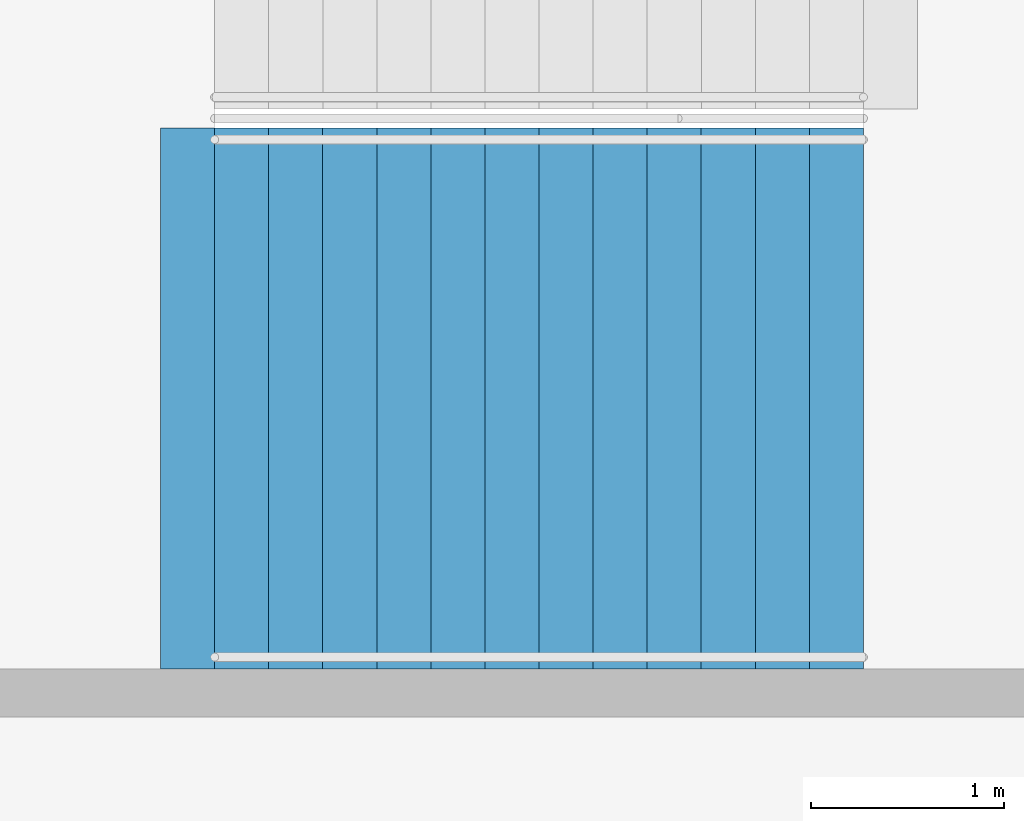
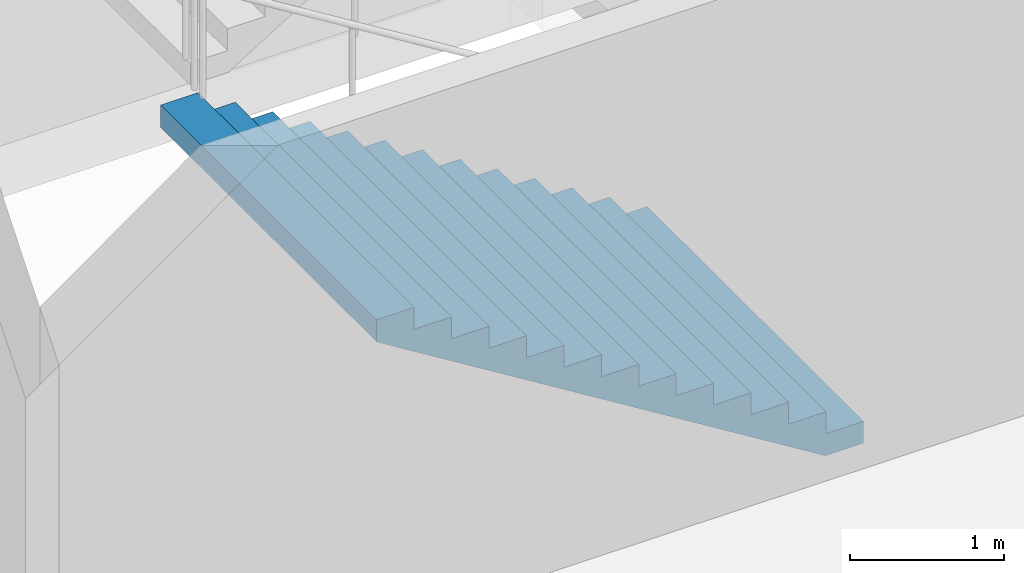
# One storey, part 130 of 199: 1 stair flight, 1 element without a shape of its own.
"""IFC4 building model written with IfcOpenShell, lengths in metres."""

from ifc_helpers import new_model, si_unit, direction, frame, origin, place, context, subcontext, project, spatial, faceted_brep, material, type_object, element, aggregate, save


model = new_model("IFC4")

# Units and contexts
model_context = context("Model", 3, precision=1e-05, world=origin(), true_north=direction((0.0, 1.0)))
body_context = subcontext(model_context, "Body", "Model", "MODEL_VIEW")
ifc_project = project(units=[si_unit("LENGTHUNIT", "METRE"), si_unit("AREAUNIT", "SQUARE_METRE"), si_unit("VOLUMEUNIT", "CUBIC_METRE"), si_unit("PLANEANGLEUNIT", "RADIAN"), si_unit("MASSUNIT", "GRAM", prefix="KILO")], contexts=[model_context])

# Site, building, storey
site_placement = place(None, origin())
site = spatial("IfcSite", under=ifc_project, at=site_placement, CompositionType="ELEMENT")
building_placement = place(site_placement, origin())
building = spatial("IfcBuilding", under=site, at=building_placement, Name="Ogive Plaza Stadium", CompositionType="ELEMENT")
storey_placement = place(building_placement, frame((0.0, 0.0, 4.5)))
storey = spatial("IfcBuildingStorey", under=building, at=storey_placement, Name="L01", CompositionType="ELEMENT", Elevation=4.5)

# Stair, stair flight
ifc_material_1 = material(Name="Concrete C40/50", Category="concrete")
stair_type = type_object("IfcStairType", Name="Exit stair", PredefinedType="STRAIGHT_RUN_STAIR", material=ifc_material_1)
stair_placement = place(storey_placement, origin())
stair = element("IfcStair", 1, at=stair_placement, inside=storey, type_object=stair_type, Name="Exit stair ST24B L01 to L02", PredefinedType="STRAIGHT_RUN_STAIR")
ifc_material_2 = material(Name="Concrete C40/50", Category="concrete")
stair_flight_type = type_object("IfcStairFlightType", Name="Exit stair flight", PredefinedType="STRAIGHT", material=ifc_material_2)
stair_flight_placement = place(storey_placement, frame((-76.35009765625, -11.925048828125, 0.0), z_axis=(0.0, 0.0, 1.0), x_axis=(-1.0, 0.0, 0.0)))
stair_flight = element("IfcStairFlight", 2, at=stair_flight_placement, type_object=stair_flight_type, Name="ST24B flight 1", NumberOfRisers=13, NumberOfTreads=12, PredefinedType="STRAIGHT", RiserHeight=0.173076923, TreadLength=0.28, context=body_context, shape_type="Brep", body=[
    faceted_brep([(0.28515625, -1.39990234375, 0.0), (3.639892578125, -1.39990234375, 2.07373046875), (3.639892578125, -1.39990234375, 2.25), (3.360107421875, -1.39990234375, 2.25), (3.360107421875, -1.39990234375, 2.076904296875), (3.080078125, -1.39990234375, 2.076904296875), (3.080078125, -1.39990234375, 1.90380859375), (2.800048828125, -1.39990234375, 1.90380859375), (2.800048828125, -1.39990234375, 1.730712890625), (2.52001953125, -1.39990234375, 1.730712890625), (2.52001953125, -1.39990234375, 1.5576171875), (2.239990234375, -1.39990234375, 1.5576171875), (2.239990234375, -1.39990234375, 1.384521484375), (1.9599609375, -1.39990234375, 1.384521484375), (1.9599609375, -1.39990234375, 1.21142578125), (1.679931640625, -1.39990234375, 1.21142578125), (1.679931640625, -1.39990234375, 1.03857421875), (1.39990234375, -1.39990234375, 1.03857421875), (1.39990234375, -1.39990234375, 0.865478515625), (1.1201171875, -1.39990234375, 0.865478515625), (1.1201171875, -1.39990234375, 0.6923828125), (0.840087890625, -1.39990234375, 0.6923828125), (0.840087890625, -1.39990234375, 0.519287109375), (0.56005859375, -1.39990234375, 0.519287109375), (0.56005859375, -1.39990234375, 0.34619140625), (0.280029296875, -1.39990234375, 0.34619140625), (0.280029296875, -1.39990234375, 0.173095703125), (0.0, -1.39990234375, 0.173095703125), (0.0, -1.39990234375, 0.0), (0.0, 1.39990234375, 0.0), (0.0, 1.39990234375, 0.173095703125), (0.280029296875, 1.39990234375, 0.173095703125), (0.280029296875, 1.39990234375, 0.34619140625), (0.56005859375, 1.39990234375, 0.34619140625), (0.56005859375, 1.39990234375, 0.519287109375), (0.840087890625, 1.39990234375, 0.519287109375), (0.840087890625, 1.39990234375, 0.6923828125), (1.1201171875, 1.39990234375, 0.6923828125), (1.1201171875, 1.39990234375, 0.865478515625), (1.39990234375, 1.39990234375, 0.865478515625), (1.39990234375, 1.39990234375, 1.03857421875), (1.679931640625, 1.39990234375, 1.03857421875), (1.679931640625, 1.39990234375, 1.21142578125), (1.9599609375, 1.39990234375, 1.21142578125), (1.9599609375, 1.39990234375, 1.384521484375), (2.239990234375, 1.39990234375, 1.384521484375), (2.239990234375, 1.39990234375, 1.5576171875), (2.52001953125, 1.39990234375, 1.5576171875), (2.52001953125, 1.39990234375, 1.730712890625), (2.800048828125, 1.39990234375, 1.730712890625), (2.800048828125, 1.39990234375, 1.90380859375), (3.080078125, 1.39990234375, 1.90380859375), (3.080078125, 1.39990234375, 2.076904296875), (3.360107421875, 1.39990234375, 2.076904296875), (3.360107421875, 1.39990234375, 2.25), (3.639892578125, 1.39990234375, 2.25), (3.639892578125, 1.39990234375, 2.07373046875), (0.28515625, 1.39990234375, 0.0), (0.28515625, -1.0888671875, 0.0), (3.639892578125, -1.0888671875, 2.07373046875), (0.28515625, -0.77783203125, 0.0), (3.639892578125, -0.77783203125, 2.07373046875), (0.28515625, -0.466796875, 0.0), (3.639892578125, -0.466796875, 2.07373046875), (0.28515625, -0.155517578125, 0.0), (3.639892578125, -0.155517578125, 2.07373046875), (0.28515625, 0.155517578125, 0.0), (3.639892578125, 0.155517578125, 2.07373046875), (0.28515625, 0.466796875, 0.0), (3.639892578125, 0.466796875, 2.07373046875), (0.28515625, 0.77783203125, 0.0), (3.639892578125, 0.77783203125, 2.07373046875), (0.28515625, 1.0888671875, 0.0), (3.639892578125, 1.0888671875, 2.07373046875), (3.639892578125, -1.0888671875, 2.25), (3.639892578125, -0.77783203125, 2.25), (3.639892578125, -0.466796875, 2.25), (3.639892578125, -0.155517578125, 2.25), (3.639892578125, 0.155517578125, 2.25), (3.639892578125, 0.466796875, 2.25), (3.639892578125, 0.77783203125, 2.25), (3.639892578125, 1.0888671875, 2.25), (3.360107421875, -1.0888671875, 2.25), (3.360107421875, -0.77783203125, 2.25), (3.360107421875, -0.466796875, 2.25), (3.360107421875, -0.155517578125, 2.25), (3.360107421875, 0.155517578125, 2.25), (3.360107421875, 0.466796875, 2.25), (3.360107421875, 0.77783203125, 2.25), (3.360107421875, 1.0888671875, 2.25), (3.360107421875, -1.0888671875, 2.076904296875), (3.360107421875, -0.77783203125, 2.076904296875), (3.360107421875, -0.466796875, 2.076904296875), (3.360107421875, -0.155517578125, 2.076904296875), (3.360107421875, 0.155517578125, 2.076904296875), (3.360107421875, 0.466796875, 2.076904296875), (3.360107421875, 0.77783203125, 2.076904296875), (3.360107421875, 1.0888671875, 2.076904296875), (3.080078125, -1.0888671875, 2.076904296875), (3.080078125, -0.77783203125, 2.076904296875), (3.080078125, -0.466796875, 2.076904296875), (3.080078125, -0.155517578125, 2.076904296875), (3.080078125, 0.155517578125, 2.076904296875), (3.080078125, 0.466796875, 2.076904296875), (3.080078125, 0.77783203125, 2.076904296875), (3.080078125, 1.0888671875, 2.076904296875), (3.080078125, -1.0888671875, 1.90380859375), (3.080078125, -0.77783203125, 1.90380859375), (3.080078125, -0.466796875, 1.90380859375), (3.080078125, -0.155517578125, 1.90380859375), (3.080078125, 0.155517578125, 1.90380859375), (3.080078125, 0.466796875, 1.90380859375), (3.080078125, 0.77783203125, 1.90380859375), (3.080078125, 1.0888671875, 1.90380859375), (2.800048828125, -1.0888671875, 1.90380859375), (2.800048828125, -0.77783203125, 1.90380859375), (2.800048828125, -0.466796875, 1.90380859375), (2.800048828125, -0.155517578125, 1.90380859375), (2.800048828125, 0.155517578125, 1.90380859375), (2.800048828125, 0.466796875, 1.90380859375), (2.800048828125, 0.77783203125, 1.90380859375), (2.800048828125, 1.0888671875, 1.90380859375), (2.800048828125, -1.0888671875, 1.730712890625), (2.800048828125, -0.77783203125, 1.730712890625), (2.800048828125, -0.466796875, 1.730712890625), (2.800048828125, -0.155517578125, 1.730712890625), (2.800048828125, 0.155517578125, 1.730712890625), (2.800048828125, 0.466796875, 1.730712890625), (2.800048828125, 0.77783203125, 1.730712890625), (2.800048828125, 1.0888671875, 1.730712890625), (2.52001953125, -1.0888671875, 1.730712890625), (2.52001953125, -0.77783203125, 1.730712890625), (2.52001953125, -0.466796875, 1.730712890625), (2.52001953125, -0.155517578125, 1.730712890625), (2.52001953125, 0.155517578125, 1.730712890625), (2.52001953125, 0.466796875, 1.730712890625), (2.52001953125, 0.77783203125, 1.730712890625), (2.52001953125, 1.0888671875, 1.730712890625), (2.52001953125, -1.0888671875, 1.5576171875), (2.52001953125, -0.77783203125, 1.5576171875), (2.52001953125, -0.466796875, 1.5576171875), (2.52001953125, -0.155517578125, 1.5576171875), (2.52001953125, 0.155517578125, 1.5576171875), (2.52001953125, 0.466796875, 1.5576171875), (2.52001953125, 0.77783203125, 1.5576171875), (2.52001953125, 1.0888671875, 1.5576171875), (2.239990234375, -1.0888671875, 1.5576171875), (2.239990234375, -0.77783203125, 1.5576171875), (2.239990234375, -0.466796875, 1.5576171875), (2.239990234375, -0.155517578125, 1.5576171875), (2.239990234375, 0.155517578125, 1.5576171875), (2.239990234375, 0.466796875, 1.5576171875), (2.239990234375, 0.77783203125, 1.5576171875), (2.239990234375, 1.0888671875, 1.5576171875), (2.239990234375, -1.0888671875, 1.384521484375), (2.239990234375, -0.77783203125, 1.384521484375), (2.239990234375, -0.466796875, 1.384521484375), (2.239990234375, -0.155517578125, 1.384521484375), (2.239990234375, 0.155517578125, 1.384521484375), (2.239990234375, 0.466796875, 1.384521484375), (2.239990234375, 0.77783203125, 1.384521484375), (2.239990234375, 1.0888671875, 1.384521484375), (1.9599609375, -1.0888671875, 1.384521484375), (1.9599609375, -0.77783203125, 1.384521484375), (1.9599609375, -0.466796875, 1.384521484375), (1.9599609375, -0.155517578125, 1.384521484375), (1.9599609375, 0.155517578125, 1.384521484375), (1.9599609375, 0.466796875, 1.384521484375), (1.9599609375, 0.77783203125, 1.384521484375), (1.9599609375, 1.0888671875, 1.384521484375), (1.9599609375, -1.0888671875, 1.21142578125), (1.9599609375, -0.77783203125, 1.21142578125), (1.9599609375, -0.466796875, 1.21142578125), (1.9599609375, -0.155517578125, 1.21142578125), (1.9599609375, 0.155517578125, 1.21142578125), (1.9599609375, 0.466796875, 1.21142578125), (1.9599609375, 0.77783203125, 1.21142578125), (1.9599609375, 1.0888671875, 1.21142578125), (1.679931640625, -1.0888671875, 1.21142578125), (1.679931640625, -0.77783203125, 1.21142578125), (1.679931640625, -0.466796875, 1.21142578125), (1.679931640625, -0.155517578125, 1.21142578125), (1.679931640625, 0.155517578125, 1.21142578125), (1.679931640625, 0.466796875, 1.21142578125), (1.679931640625, 0.77783203125, 1.21142578125), (1.679931640625, 1.0888671875, 1.21142578125), (1.679931640625, -1.0888671875, 1.03857421875), (1.679931640625, -0.77783203125, 1.03857421875), (1.679931640625, -0.466796875, 1.03857421875), (1.679931640625, -0.155517578125, 1.03857421875), (1.679931640625, 0.155517578125, 1.03857421875), (1.679931640625, 0.466796875, 1.03857421875), (1.679931640625, 0.77783203125, 1.03857421875), (1.679931640625, 1.0888671875, 1.03857421875), (1.39990234375, -1.0888671875, 1.03857421875), (1.39990234375, -0.77783203125, 1.03857421875), (1.39990234375, -0.466796875, 1.03857421875), (1.39990234375, -0.155517578125, 1.03857421875), (1.39990234375, 0.155517578125, 1.03857421875), (1.39990234375, 0.466796875, 1.03857421875), (1.39990234375, 0.77783203125, 1.03857421875), (1.39990234375, 1.0888671875, 1.03857421875), (1.39990234375, -1.0888671875, 0.865478515625), (1.39990234375, -0.77783203125, 0.865478515625), (1.39990234375, -0.466796875, 0.865478515625), (1.39990234375, -0.155517578125, 0.865478515625), (1.39990234375, 0.155517578125, 0.865478515625), (1.39990234375, 0.466796875, 0.865478515625), (1.39990234375, 0.77783203125, 0.865478515625), (1.39990234375, 1.0888671875, 0.865478515625), (1.1201171875, -1.0888671875, 0.865478515625), (1.1201171875, -0.77783203125, 0.865478515625), (1.1201171875, -0.466796875, 0.865478515625), (1.1201171875, -0.155517578125, 0.865478515625), (1.1201171875, 0.155517578125, 0.865478515625), (1.1201171875, 0.466796875, 0.865478515625), (1.1201171875, 0.77783203125, 0.865478515625), (1.1201171875, 1.0888671875, 0.865478515625), (1.1201171875, -1.0888671875, 0.6923828125), (1.1201171875, -0.77783203125, 0.6923828125), (1.1201171875, -0.466796875, 0.6923828125), (1.1201171875, -0.155517578125, 0.6923828125), (1.1201171875, 0.155517578125, 0.6923828125), (1.1201171875, 0.466796875, 0.6923828125), (1.1201171875, 0.77783203125, 0.6923828125), (1.1201171875, 1.0888671875, 0.6923828125), (0.840087890625, -1.0888671875, 0.6923828125), (0.840087890625, -0.77783203125, 0.6923828125), (0.840087890625, -0.466796875, 0.6923828125), (0.840087890625, -0.155517578125, 0.6923828125), (0.840087890625, 0.155517578125, 0.6923828125), (0.840087890625, 0.466796875, 0.6923828125), (0.840087890625, 0.77783203125, 0.6923828125), (0.840087890625, 1.0888671875, 0.6923828125), (0.840087890625, -1.0888671875, 0.519287109375), (0.840087890625, -0.77783203125, 0.519287109375), (0.840087890625, -0.466796875, 0.519287109375), (0.840087890625, -0.155517578125, 0.519287109375), (0.840087890625, 0.155517578125, 0.519287109375), (0.840087890625, 0.466796875, 0.519287109375), (0.840087890625, 0.77783203125, 0.519287109375), (0.840087890625, 1.0888671875, 0.519287109375), (0.56005859375, -1.0888671875, 0.519287109375), (0.56005859375, -0.77783203125, 0.519287109375), (0.56005859375, -0.466796875, 0.519287109375), (0.56005859375, -0.155517578125, 0.519287109375), (0.56005859375, 0.155517578125, 0.519287109375), (0.56005859375, 0.466796875, 0.519287109375), (0.56005859375, 0.77783203125, 0.519287109375), (0.56005859375, 1.0888671875, 0.519287109375), (0.56005859375, -1.0888671875, 0.34619140625), (0.56005859375, -0.77783203125, 0.34619140625), (0.56005859375, -0.466796875, 0.34619140625), (0.56005859375, -0.155517578125, 0.34619140625), (0.56005859375, 0.155517578125, 0.34619140625), (0.56005859375, 0.466796875, 0.34619140625), (0.56005859375, 0.77783203125, 0.34619140625), (0.56005859375, 1.0888671875, 0.34619140625), (0.280029296875, -1.0888671875, 0.34619140625), (0.280029296875, -0.77783203125, 0.34619140625), (0.280029296875, -0.466796875, 0.34619140625), (0.280029296875, -0.155517578125, 0.34619140625), (0.280029296875, 0.155517578125, 0.34619140625), (0.280029296875, 0.466796875, 0.34619140625), (0.280029296875, 0.77783203125, 0.34619140625), (0.280029296875, 1.0888671875, 0.34619140625), (0.280029296875, -1.0888671875, 0.173095703125), (0.280029296875, -0.77783203125, 0.173095703125), (0.280029296875, -0.466796875, 0.173095703125), (0.280029296875, -0.155517578125, 0.173095703125), (0.280029296875, 0.155517578125, 0.173095703125), (0.280029296875, 0.466796875, 0.173095703125), (0.280029296875, 0.77783203125, 0.173095703125), (0.280029296875, 1.0888671875, 0.173095703125), (0.0, -1.0888671875, 0.173095703125), (0.0, -0.77783203125, 0.173095703125), (0.0, -0.466796875, 0.173095703125), (0.0, -0.155517578125, 0.173095703125), (0.0, 0.155517578125, 0.173095703125), (0.0, 0.466796875, 0.173095703125), (0.0, 0.77783203125, 0.173095703125), (0.0, 1.0888671875, 0.173095703125), (0.0, -1.0888671875, 0.0), (0.0, -0.77783203125, 0.0), (0.0, -0.466796875, 0.0), (0.0, -0.155517578125, 0.0), (0.0, 0.155517578125, 0.0), (0.0, 0.466796875, 0.0), (0.0, 0.77783203125, 0.0), (0.0, 1.0888671875, 0.0)], [[[0, 1, 2, 3, 4, 5, 6, 7, 8, 9, 10, 11, 12, 13, 14, 15, 16, 17, 18, 19, 20, 21, 22, 23, 24, 25, 26, 27, 28]], [[29, 30, 31, 32, 33, 34, 35, 36, 37, 38, 39, 40, 41, 42, 43, 44, 45, 46, 47, 48, 49, 50, 51, 52, 53, 54, 55, 56, 57]], [[0, 58, 59, 1]], [[58, 60, 61, 59]], [[60, 62, 63, 61]], [[62, 64, 65, 63]], [[64, 66, 67, 65]], [[66, 68, 69, 67]], [[68, 70, 71, 69]], [[70, 72, 73, 71]], [[72, 57, 56, 73]], [[1, 59, 74, 2]], [[59, 61, 75, 74]], [[61, 63, 76, 75]], [[63, 65, 77, 76]], [[65, 67, 78, 77]], [[67, 69, 79, 78]], [[69, 71, 80, 79]], [[71, 73, 81, 80]], [[73, 56, 55, 81]], [[2, 74, 82, 3]], [[74, 75, 83, 82]], [[75, 76, 84, 83]], [[76, 77, 85, 84]], [[77, 78, 86, 85]], [[78, 79, 87, 86]], [[79, 80, 88, 87]], [[80, 81, 89, 88]], [[81, 55, 54, 89]], [[3, 82, 90, 4]], [[82, 83, 91, 90]], [[83, 84, 92, 91]], [[84, 85, 93, 92]], [[85, 86, 94, 93]], [[86, 87, 95, 94]], [[87, 88, 96, 95]], [[88, 89, 97, 96]], [[89, 54, 53, 97]], [[4, 90, 98, 5]], [[90, 91, 99, 98]], [[91, 92, 100, 99]], [[92, 93, 101, 100]], [[93, 94, 102, 101]], [[94, 95, 103, 102]], [[95, 96, 104, 103]], [[96, 97, 105, 104]], [[97, 53, 52, 105]], [[5, 98, 106, 6]], [[98, 99, 107, 106]], [[99, 100, 108, 107]], [[100, 101, 109, 108]], [[101, 102, 110, 109]], [[102, 103, 111, 110]], [[103, 104, 112, 111]], [[104, 105, 113, 112]], [[105, 52, 51, 113]], [[6, 106, 114, 7]], [[106, 107, 115, 114]], [[107, 108, 116, 115]], [[108, 109, 117, 116]], [[109, 110, 118, 117]], [[110, 111, 119, 118]], [[111, 112, 120, 119]], [[112, 113, 121, 120]], [[113, 51, 50, 121]], [[7, 114, 122, 8]], [[114, 115, 123, 122]], [[115, 116, 124, 123]], [[116, 117, 125, 124]], [[117, 118, 126, 125]], [[118, 119, 127, 126]], [[119, 120, 128, 127]], [[120, 121, 129, 128]], [[121, 50, 49, 129]], [[8, 122, 130, 9]], [[122, 123, 131, 130]], [[123, 124, 132, 131]], [[124, 125, 133, 132]], [[125, 126, 134, 133]], [[126, 127, 135, 134]], [[127, 128, 136, 135]], [[128, 129, 137, 136]], [[129, 49, 48, 137]], [[9, 130, 138, 10]], [[130, 131, 139, 138]], [[131, 132, 140, 139]], [[132, 133, 141, 140]], [[133, 134, 142, 141]], [[134, 135, 143, 142]], [[135, 136, 144, 143]], [[136, 137, 145, 144]], [[137, 48, 47, 145]], [[10, 138, 146, 11]], [[138, 139, 147, 146]], [[139, 140, 148, 147]], [[140, 141, 149, 148]], [[141, 142, 150, 149]], [[142, 143, 151, 150]], [[143, 144, 152, 151]], [[144, 145, 153, 152]], [[145, 47, 46, 153]], [[11, 146, 154, 12]], [[146, 147, 155, 154]], [[147, 148, 156, 155]], [[148, 149, 157, 156]], [[149, 150, 158, 157]], [[150, 151, 159, 158]], [[151, 152, 160, 159]], [[152, 153, 161, 160]], [[153, 46, 45, 161]], [[12, 154, 162, 13]], [[154, 155, 163, 162]], [[155, 156, 164, 163]], [[156, 157, 165, 164]], [[157, 158, 166, 165]], [[158, 159, 167, 166]], [[159, 160, 168, 167]], [[160, 161, 169, 168]], [[161, 45, 44, 169]], [[13, 162, 170, 14]], [[162, 163, 171, 170]], [[163, 164, 172, 171]], [[164, 165, 173, 172]], [[165, 166, 174, 173]], [[166, 167, 175, 174]], [[167, 168, 176, 175]], [[168, 169, 177, 176]], [[169, 44, 43, 177]], [[14, 170, 178, 15]], [[170, 171, 179, 178]], [[171, 172, 180, 179]], [[172, 173, 181, 180]], [[173, 174, 182, 181]], [[174, 175, 183, 182]], [[175, 176, 184, 183]], [[176, 177, 185, 184]], [[177, 43, 42, 185]], [[15, 178, 186, 16]], [[178, 179, 187, 186]], [[179, 180, 188, 187]], [[180, 181, 189, 188]], [[181, 182, 190, 189]], [[182, 183, 191, 190]], [[183, 184, 192, 191]], [[184, 185, 193, 192]], [[185, 42, 41, 193]], [[16, 186, 194, 17]], [[186, 187, 195, 194]], [[187, 188, 196, 195]], [[188, 189, 197, 196]], [[189, 190, 198, 197]], [[190, 191, 199, 198]], [[191, 192, 200, 199]], [[192, 193, 201, 200]], [[193, 41, 40, 201]], [[17, 194, 202, 18]], [[194, 195, 203, 202]], [[195, 196, 204, 203]], [[196, 197, 205, 204]], [[197, 198, 206, 205]], [[198, 199, 207, 206]], [[199, 200, 208, 207]], [[200, 201, 209, 208]], [[201, 40, 39, 209]], [[18, 202, 210, 19]], [[202, 203, 211, 210]], [[203, 204, 212, 211]], [[204, 205, 213, 212]], [[205, 206, 214, 213]], [[206, 207, 215, 214]], [[207, 208, 216, 215]], [[208, 209, 217, 216]], [[209, 39, 38, 217]], [[19, 210, 218, 20]], [[210, 211, 219, 218]], [[211, 212, 220, 219]], [[212, 213, 221, 220]], [[213, 214, 222, 221]], [[214, 215, 223, 222]], [[215, 216, 224, 223]], [[216, 217, 225, 224]], [[217, 38, 37, 225]], [[20, 218, 226, 21]], [[218, 219, 227, 226]], [[219, 220, 228, 227]], [[220, 221, 229, 228]], [[221, 222, 230, 229]], [[222, 223, 231, 230]], [[223, 224, 232, 231]], [[224, 225, 233, 232]], [[225, 37, 36, 233]], [[21, 226, 234, 22]], [[226, 227, 235, 234]], [[227, 228, 236, 235]], [[228, 229, 237, 236]], [[229, 230, 238, 237]], [[230, 231, 239, 238]], [[231, 232, 240, 239]], [[232, 233, 241, 240]], [[233, 36, 35, 241]], [[22, 234, 242, 23]], [[234, 235, 243, 242]], [[235, 236, 244, 243]], [[236, 237, 245, 244]], [[237, 238, 246, 245]], [[238, 239, 247, 246]], [[239, 240, 248, 247]], [[240, 241, 249, 248]], [[241, 35, 34, 249]], [[23, 242, 250, 24]], [[242, 243, 251, 250]], [[243, 244, 252, 251]], [[244, 245, 253, 252]], [[245, 246, 254, 253]], [[246, 247, 255, 254]], [[247, 248, 256, 255]], [[248, 249, 257, 256]], [[249, 34, 33, 257]], [[24, 250, 258, 25]], [[250, 251, 259, 258]], [[251, 252, 260, 259]], [[252, 253, 261, 260]], [[253, 254, 262, 261]], [[254, 255, 263, 262]], [[255, 256, 264, 263]], [[256, 257, 265, 264]], [[257, 33, 32, 265]], [[25, 258, 266, 26]], [[258, 259, 267, 266]], [[259, 260, 268, 267]], [[260, 261, 269, 268]], [[261, 262, 270, 269]], [[262, 263, 271, 270]], [[263, 264, 272, 271]], [[264, 265, 273, 272]], [[265, 32, 31, 273]], [[26, 266, 274, 27]], [[266, 267, 275, 274]], [[267, 268, 276, 275]], [[268, 269, 277, 276]], [[269, 270, 278, 277]], [[270, 271, 279, 278]], [[271, 272, 280, 279]], [[272, 273, 281, 280]], [[273, 31, 30, 281]], [[27, 274, 282, 28]], [[274, 275, 283, 282]], [[275, 276, 284, 283]], [[276, 277, 285, 284]], [[277, 278, 286, 285]], [[278, 279, 287, 286]], [[279, 280, 288, 287]], [[280, 281, 289, 288]], [[281, 30, 29, 289]], [[28, 282, 58, 0]], [[282, 283, 60, 58]], [[283, 284, 62, 60]], [[284, 285, 64, 62]], [[285, 286, 66, 64]], [[286, 287, 68, 66]], [[287, 288, 70, 68]], [[288, 289, 72, 70]], [[289, 29, 57, 72]]]),
])
aggregate(stair, [stair_flight])

save(model, "model.ifc")
